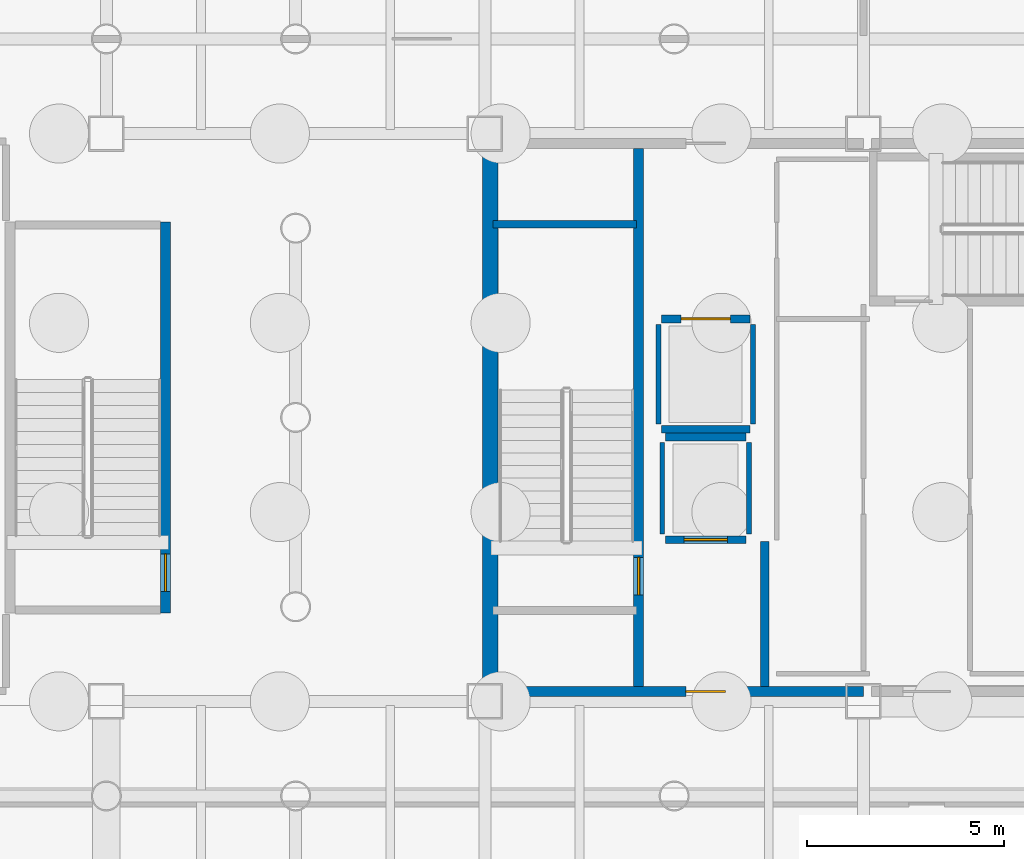
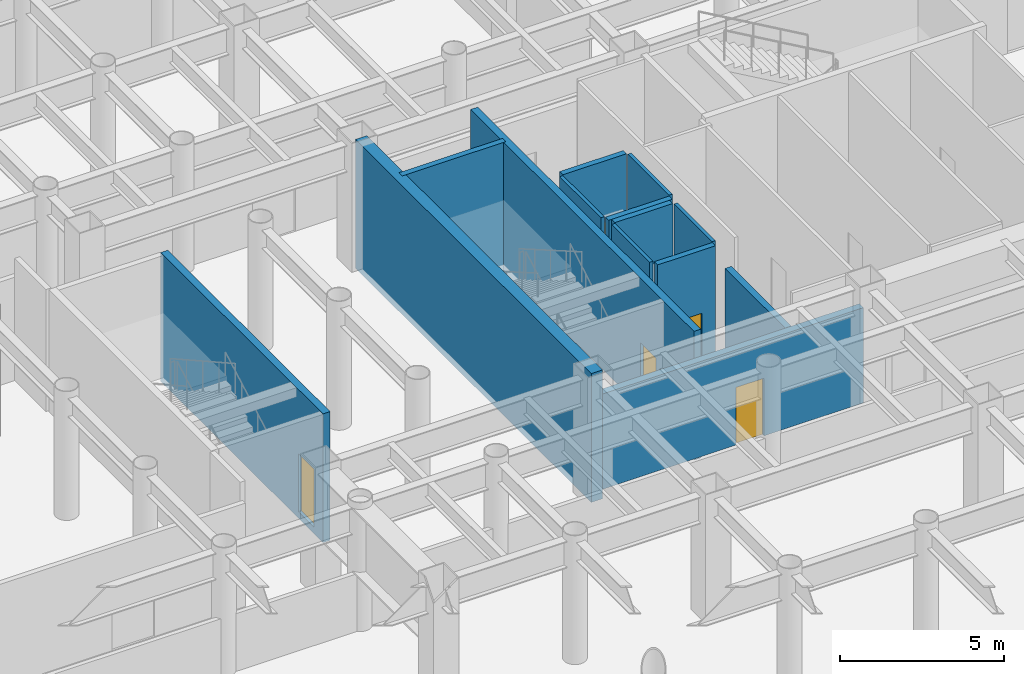
# One storey, part 9 of 17: 14 walls, 5 doors, 5 openings.
"""IFC4 building model written with IfcOpenShell, lengths in metres."""

from ifc_helpers import new_model, si_unit, direction, frame, frame_2d, origin, place, context, subcontext, project, spatial, rectangle, extrude, material, layer, layer_set, type_object, element, fill, save


model = new_model("IFC4")

# Units and contexts
model_context = context("Model", 3, precision=1e-05, world=origin(), true_north=direction((0.0, 1.0)))
body_context = subcontext(model_context, "Body", "Model", "MODEL_VIEW")
ifc_project = project(units=[si_unit("LENGTHUNIT", "METRE"), si_unit("AREAUNIT", "SQUARE_METRE"), si_unit("VOLUMEUNIT", "CUBIC_METRE"), si_unit("PLANEANGLEUNIT", "RADIAN"), si_unit("MASSUNIT", "GRAM", prefix="KILO")], contexts=[model_context])

# Site, building, storey
site_placement = place(None, origin())
site = spatial("IfcSite", under=ifc_project, at=site_placement, CompositionType="ELEMENT")
building_placement = place(site_placement, origin())
building = spatial("IfcBuilding", under=site, at=building_placement, Name="Kallvorn Hotel Tower", CompositionType="ELEMENT")
storey_placement = place(building_placement, frame((0.0, 0.0, -10.199951171875)))
storey = spatial("IfcBuildingStorey", under=building, at=storey_placement, Name="B2", CompositionType="ELEMENT", Elevation=-10.199951171875)

# Walls
ifc_material_1 = material(Name="Concrete C50/60", Category="concrete")
ifc_layer_1 = layer(ifc_material_1, 0.39990234375)
ifc_layer_set_1 = layer_set([ifc_layer_1], Name="WL_CORE_400")
wall_type_1 = type_object("IfcWallType", Name="WL_CORE_400", PredefinedType="SHEAR", material=ifc_layer_set_1)
wall_1_placement = place(storey_placement, frame((-14.264892578125, -7.199951171875, -0.25), z_axis=(0.0, 0.0, 1.0), x_axis=(0.0, 1.0, 0.0)))
element("IfcWall", 1, at=wall_1_placement, inside=storey, type_object=wall_type_1, Name="B2 Core West Shear Wall", PredefinedType="SHEAR", context=body_context, shape_type="SweptSolid", body=[
    extrude(rectangle(XDim=14.39990234375, YDim=0.39990234375, at=frame_2d((7.199951171875, 0.0))), origin(), (0.0, 0.0, 1.0), 4.800048828125),
])
ifc_material_2 = material(Name="Concrete C40/50", Category="concrete")
ifc_layer_2 = layer(ifc_material_2, 0.219970703125)
ifc_layer_set_2 = layer_set([ifc_layer_2], Name="WL_FFL_220")
wall_type_2 = type_object("IfcWallType", Name="WL_FFL_220", PredefinedType="SOLIDWALL", material=ifc_layer_set_2)
wall_2_placement = place(storey_placement, frame((-7.300048828125, -6.820068359375, 0.0), z_axis=(0.0, 0.0, 1.0), x_axis=(0.0, 1.0, 0.0)))
element("IfcWall", 2, at=wall_2_placement, inside=storey, type_object=wall_type_2, Name="B2 Firefighting Lobby West Divider Wall", PredefinedType="SOLIDWALL", context=body_context, shape_type="SweptSolid", body=[
    extrude(rectangle(XDim=3.670166015625, YDim=0.219970703125, at=frame_2d((1.8349609375, 0.0))), origin(), (0.0, 0.0, 1.0), 3.550048828125),
])
ifc_material_3 = material(Name="Concrete C40/50", Category="concrete")
ifc_layer_3 = layer(ifc_material_3, 0.199951171875)
ifc_layer_set_3 = layer_set([ifc_layer_3], Name="WL_HOIST_200")
wall_type_3 = type_object("IfcWallType", Name="WL_HOIST_200", PredefinedType="SOLIDWALL", material=ifc_layer_set_3)
wall_3_placement = place(storey_placement, frame((-14.199951171875, 4.89990234375, -0.25), z_axis=(0.0, 0.0, 1.0), x_axis=(1.0, 0.0, 0.0)))
element("IfcWall", 3, at=wall_3_placement, inside=storey, type_object=wall_type_3, Name="B2 Stair ST1 North Wall", PredefinedType="SOLIDWALL", context=body_context, shape_type="SweptSolid", body=[
    extrude(rectangle(XDim=3.64990234375, YDim=0.199951171875, at=frame_2d((1.824951171875, 0.0))), origin(), (0.0, 0.0, 1.0), 4.800048828125),
])

# Wall, opening, door
wall_4_placement = place(storey_placement, frame((-9.820068359375, -3.10009765625, 0.0), z_axis=(0.0, 0.0, 1.0), x_axis=(1.0, 0.0, 0.0)))
wall_4 = element("IfcWall", 4, at=wall_4_placement, inside=storey, type_object=wall_type_3, Name="B2 FL-1 Landing Wall", PredefinedType="SOLIDWALL", context=body_context, shape_type="SweptSolid", body=[
    extrude(rectangle(XDim=2.0400390625, YDim=0.199951171875, at=frame_2d((1.02001953125, 0.0))), origin(), (0.0, 0.0, 1.0), 4.550048828125),
])
opening_1_placement = place(wall_4_placement, frame((0.469970703125, 0.0, 0.0)))
opening_1 = element("IfcOpeningElement", 5, at=opening_1_placement, cuts=wall_4, Name="Opening LD-FL-1", PredefinedType="OPENING", context=body_context, shape_type="SweptSolid", body=[
    extrude(rectangle(XDim=1.10009765625, YDim=2.199951171875, at=frame_2d((0.550048828125, 1.10009765625))), frame((0.0, 0.114990234375, 0.0), z_axis=(0.0, -1.0, 0.0), x_axis=(1.0, 0.0, 0.0)), (0.0, 0.0, 1.0), 0.22998046875),
])
ifc_material_4 = material(Name="Brushed stainless-steel automatic sliding lift landing door", Category="steel")
door_type_1 = type_object("IfcDoorType", Name="LD_PASS_1100x2200", OperationType="SLIDING_TO_LEFT", PredefinedType="DOOR", material=ifc_material_4)
door_1_placement = place(opening_1_placement, origin())
door_1 = element("IfcDoor", 6, at=door_1_placement, inside=storey, type_object=door_type_1, Name="B2 Lift Landing Sliding Door LD-FL-1", OperationType="SLIDING_TO_LEFT", OverallHeight=2.199951171875, OverallWidth=1.10009765625, PredefinedType="DOOR", context=body_context, shape_type="SweptSolid", body=[
    extrude(rectangle(XDim=1.10009765625, YDim=2.199951171875, at=frame_2d((0.550048828125, 1.10009765625))), frame((0.0, 0.02490234375, 0.0), z_axis=(0.0, -1.0, 0.0), x_axis=(1.0, 0.0, 0.0)), (0.0, 0.0, 1.0), 0.050048828125),
])
fill(opening_1, door_1)

# Wall
wall_5_placement = place(storey_placement, frame((-9.820068359375, -0.5, 0.0), z_axis=(0.0, 0.0, 1.0), x_axis=(1.0, 0.0, 0.0)))
element("IfcWall", 7, at=wall_5_placement, inside=storey, type_object=wall_type_3, Name="B2 FL-1 Rear Shaft Wall", PredefinedType="SOLIDWALL", context=body_context, shape_type="SweptSolid", body=[
    extrude(rectangle(XDim=2.0400390625, YDim=0.199951171875, at=frame_2d((1.02001953125, 0.0))), origin(), (0.0, 0.0, 1.0), 4.550048828125),
])

# Wall, opening, door
wall_6_placement = place(storey_placement, frame((-9.919921875, 2.5, 0.0), z_axis=(0.0, 0.0, 1.0), x_axis=(1.0, 0.0, 0.0)))
wall_6 = element("IfcWall", 8, at=wall_6_placement, inside=storey, type_object=wall_type_3, Name="B2 SV-01 Landing Wall", PredefinedType="SOLIDWALL", context=body_context, shape_type="SweptSolid", body=[
    extrude(rectangle(XDim=2.239990234375, YDim=0.199951171875, at=frame_2d((1.1201171875, 0.0))), origin(), (0.0, 0.0, 1.0), 4.550048828125),
])
opening_2_placement = place(wall_6_placement, frame((0.4951171875, 0.0, 0.0)))
opening_2 = element("IfcOpeningElement", 9, at=opening_2_placement, cuts=wall_6, Name="Opening LD-SV-01", PredefinedType="OPENING", context=body_context, shape_type="SweptSolid", body=[
    extrude(rectangle(XDim=1.25, YDim=2.25, at=frame_2d((0.625, 1.125))), frame((0.0, 0.114990234375, 0.0), z_axis=(0.0, -1.0, 0.0), x_axis=(1.0, 0.0, 0.0)), (0.0, 0.0, 1.0), 0.22998046875),
])
ifc_material_5 = material(Name="Brushed stainless-steel automatic sliding lift landing door", Category="steel")
door_type_2 = type_object("IfcDoorType", Name="LD_SERV_1250x2250", OperationType="SLIDING_TO_LEFT", PredefinedType="DOOR", material=ifc_material_5)
door_2_placement = place(opening_2_placement, origin())
door_2 = element("IfcDoor", 10, at=door_2_placement, inside=storey, type_object=door_type_2, Name="B2 Lift Landing Sliding Door LD-SV-01", OperationType="SLIDING_TO_LEFT", OverallHeight=2.25, OverallWidth=1.25, PredefinedType="DOOR", context=body_context, shape_type="SweptSolid", body=[
    extrude(rectangle(XDim=1.25, YDim=2.25, at=frame_2d((0.625, 1.125))), frame((0.0, 0.02490234375, 0.0), z_axis=(0.0, -1.0, 0.0), x_axis=(1.0, 0.0, 0.0)), (0.0, 0.0, 1.0), 0.050048828125),
])
fill(opening_2, door_2)

# Walls
wall_7_placement = place(storey_placement, frame((-9.919921875, -0.300048828125, 0.0), z_axis=(0.0, 0.0, 1.0), x_axis=(1.0, 0.0, 0.0)))
element("IfcWall", 11, at=wall_7_placement, inside=storey, type_object=wall_type_3, Name="B2 SV-01 Rear Shaft Wall", PredefinedType="SOLIDWALL", context=body_context, shape_type="SweptSolid", body=[
    extrude(rectangle(XDim=2.239990234375, YDim=0.199951171875, at=frame_2d((1.1201171875, 0.0))), origin(), (0.0, 0.0, 1.0), 4.550048828125),
])
ifc_material_6 = material(Name="Fire-rated double-layer acoustic gypsum drywall EI 60")
ifc_layer_4 = layer(ifc_material_6, 0.1201171875)
ifc_layer_set_4 = layer_set([ifc_layer_4], Name="WL_INT_120")
wall_type_4 = type_object("IfcWallType", Name="WL_INT_120", PredefinedType="PARTITIONING", material=ifc_layer_set_4)
for number, where, z_axis, x_axis, name in (
    (12, (-9.89990234375, -2.9599609375, 0.0), (0.0, 0.0, 1.0), (0.0, 1.0, 0.0), "B2 FL-1 West Shaft Wall"),
    (13, (-7.699951171875, -2.9599609375, 0.0), (0.0, 0.0, 1.0), (0.0, 1.0, 0.0), "B2 FL-1 East Shaft Wall"),
):
    element("IfcWall", number, at=place(storey_placement, frame(where, z_axis=z_axis, x_axis=x_axis)), inside=storey, type_object=wall_type_4, Name=name, PredefinedType="PARTITIONING", context=body_context, shape_type="SweptSolid", body=[
        extrude(rectangle(XDim=2.320068359375, YDim=0.1201171875, at=frame_2d((1.16015625, 0.0))), origin(), (0.0, 0.0, 1.0), 4.550048828125),
    ])
for number, where, z_axis, x_axis, name in (
    (14, (-10.0, -0.159912109375, 0.0), (0.0, 0.0, 1.0), (0.0, 1.0, 0.0), "B2 SV-01 West Shaft Wall"),
    (15, (-7.60009765625, -0.159912109375, 0.0), (0.0, 0.0, 1.0), (0.0, 1.0, 0.0), "B2 SV-01 East Shaft Wall"),
):
    element("IfcWall", number, at=place(storey_placement, frame(where, z_axis=z_axis, x_axis=x_axis)), inside=storey, type_object=wall_type_4, Name=name, PredefinedType="PARTITIONING", context=body_context, shape_type="SweptSolid", body=[
        extrude(rectangle(XDim=2.52001953125, YDim=0.1201171875, at=frame_2d((1.260009765625, 0.0))), origin(), (0.0, 0.0, 1.0), 4.550048828125),
    ])

# Wall, opening, door
ifc_material_7 = material(Name="Concrete C40/50", Category="concrete")
ifc_layer_5 = layer(ifc_material_7, 0.25)
ifc_layer_set_5 = layer_set([ifc_layer_5], Name="WL_SHAFT_250")
wall_type_5 = type_object("IfcWallType", Name="WL_SHAFT_250", PredefinedType="SOLIDWALL", material=ifc_layer_set_5)
wall_8_placement = place(storey_placement, frame((-14.199951171875, -6.949951171875, 0.0), z_axis=(0.0, 0.0, 1.0), x_axis=(1.0, 0.0, 0.0)))
wall_8 = element("IfcWall", 16, at=wall_8_placement, inside=storey, type_object=wall_type_5, Name="B2 Core South-West Wall", PredefinedType="SOLIDWALL", context=body_context, shape_type="SweptSolid", body=[
    extrude(rectangle(XDim=9.39990234375, YDim=0.25, at=frame_2d((4.699951171875, 0.0))), origin(), (0.0, 0.0, 1.0), 3.550048828125),
])
opening_3_placement = place(wall_8_placement, frame((4.89990234375, 0.0, 0.0)))
opening_3 = element("IfcOpeningElement", 17, at=opening_3_placement, cuts=wall_8, Name="Opening FD1", PredefinedType="OPENING", context=body_context, shape_type="SweptSolid", body=[
    extrude(rectangle(XDim=1.0, YDim=2.14990234375, at=frame_2d((0.5, 1.074951171875))), frame((0.0, 0.139892578125, 0.0), z_axis=(0.0, -1.0, 0.0), x_axis=(1.0, 0.0, 0.0)), (0.0, 0.0, 1.0), 0.280029296875),
])
ifc_material_8 = material(Name="Galvanised painted steel fire-rated door assembly", Category="steel")
door_type_3 = type_object("IfcDoorType", Name="DR_FFL_1000x2150", OperationType="NOTDEFINED", PredefinedType="DOOR", material=ifc_material_8)
door_3_placement = place(opening_3_placement, origin())
door_3 = element("IfcDoor", 18, at=door_3_placement, inside=storey, type_object=door_type_3, Name="B2 Firefighting Lobby West Door", OperationType="SINGLE_SWING_RIGHT", OverallHeight=2.14990234375, OverallWidth=1.0, PredefinedType="DOOR", context=body_context, shape_type="SweptSolid", body=[
    extrude(rectangle(XDim=1.0, YDim=2.14990234375, at=frame_2d((0.5, 1.074951171875))), frame((0.0, 0.02490234375, 0.0), z_axis=(0.0, -1.0, 0.0), x_axis=(1.0, 0.0, 0.0)), (0.0, 0.0, 1.0), 0.050048828125),
])
fill(opening_3, door_3)

wall_9_placement = place(storey_placement, frame((-10.5, -6.820068359375, -0.25), z_axis=(0.0, 0.0, 1.0), x_axis=(0.0, 1.0, 0.0)))
wall_9 = element("IfcWall", 19, at=wall_9_placement, inside=storey, type_object=wall_type_5, Name="B2 Stair ST1 Shaft Wall", PredefinedType="SOLIDWALL", context=body_context, shape_type="SweptSolid", body=[
    extrude(rectangle(XDim=13.64013671875, YDim=0.25, at=frame_2d((6.820068359375, 0.0))), origin(), (0.0, 0.0, 1.0), 4.800048828125),
])
opening_4_placement = place(wall_9_placement, frame((2.320068359375, 0.0, 0.25)))
opening_4 = element("IfcOpeningElement", 20, at=opening_4_placement, cuts=wall_9, Name="Opening SD1", PredefinedType="OPENING", context=body_context, shape_type="SweptSolid", body=[
    extrude(rectangle(XDim=0.949951171875, YDim=2.14990234375, at=frame_2d((0.47509765625, 1.074951171875))), frame((0.0, 0.139892578125, 0.0), z_axis=(0.0, -1.0, 0.0), x_axis=(1.0, 0.0, 0.0)), (0.0, 0.0, 1.0), 0.280029296875),
])
ifc_material_9 = material(Name="Galvanised painted steel fire-rated door assembly", Category="steel")
door_type_4 = type_object("IfcDoorType", Name="DR_STAIR_950x2150", OperationType="NOTDEFINED", PredefinedType="DOOR", material=ifc_material_9)
door_4_placement = place(opening_4_placement, origin())
door_4 = element("IfcDoor", 21, at=door_4_placement, inside=storey, type_object=door_type_4, Name="B2 Exit Stair ST1 Fire Door", OperationType="SINGLE_SWING_RIGHT", OverallHeight=2.14990234375, OverallWidth=0.949951171875, PredefinedType="DOOR", context=body_context, shape_type="SweptSolid", body=[
    extrude(rectangle(XDim=0.949951171875, YDim=2.14990234375, at=frame_2d((0.47509765625, 1.074951171875))), frame((0.0, 0.02490234375, 0.0), z_axis=(0.0, -1.0, 0.0), x_axis=(1.0, 0.0, 0.0)), (0.0, 0.0, 1.0), 0.050048828125),
])
fill(opening_4, door_4)

wall_10_placement = place(storey_placement, frame((-22.5, -4.9599609375, -0.25), z_axis=(0.0, 0.0, 1.0), x_axis=(0.0, 1.0, 0.0)))
wall_10 = element("IfcWall", 22, at=wall_10_placement, inside=storey, type_object=wall_type_5, Name="B2 Podium Exit Stair ST4 East Wall", PredefinedType="SOLIDWALL", context=body_context, shape_type="SweptSolid", body=[
    extrude(rectangle(XDim=9.919921875, YDim=0.25, at=frame_2d((4.9599609375, 0.0))), origin(), (0.0, 0.0, 1.0), 4.800048828125),
])
opening_5_placement = place(wall_10_placement, frame((0.550048828125, 0.0, 0.25)))
opening_5 = element("IfcOpeningElement", 23, at=opening_5_placement, cuts=wall_10, Name="Opening SD1", PredefinedType="OPENING", context=body_context, shape_type="SweptSolid", body=[
    extrude(rectangle(XDim=0.949951171875, YDim=2.14990234375, at=frame_2d((0.47509765625, 1.074951171875))), frame((0.0, 0.139892578125, 0.0), z_axis=(0.0, -1.0, 0.0), x_axis=(1.0, 0.0, 0.0)), (0.0, 0.0, 1.0), 0.280029296875),
])
door_5_placement = place(opening_5_placement, origin())
door_5 = element("IfcDoor", 24, at=door_5_placement, inside=storey, type_object=door_type_4, Name="B2 Podium Exit Stair ST4 Fire Door", OperationType="SINGLE_SWING_LEFT", OverallHeight=2.14990234375, OverallWidth=0.949951171875, PredefinedType="DOOR", context=body_context, shape_type="SweptSolid", body=[
    extrude(rectangle(XDim=0.949951171875, YDim=2.14990234375, at=frame_2d((0.47509765625, 1.074951171875))), frame((0.0, 0.02490234375, 0.0), z_axis=(0.0, -1.0, 0.0), x_axis=(1.0, 0.0, 0.0)), (0.0, 0.0, 1.0), 0.050048828125),
])
fill(opening_5, door_5)

save(model, "model.ifc")
